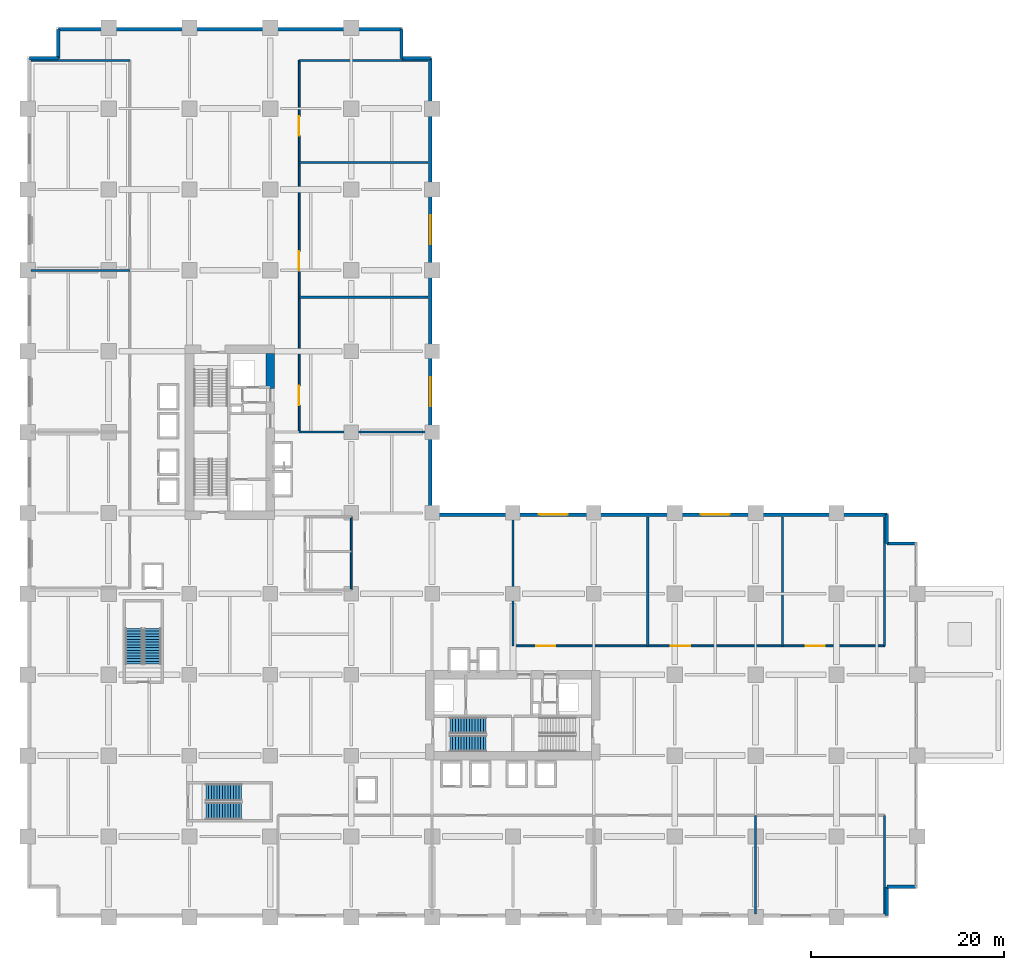
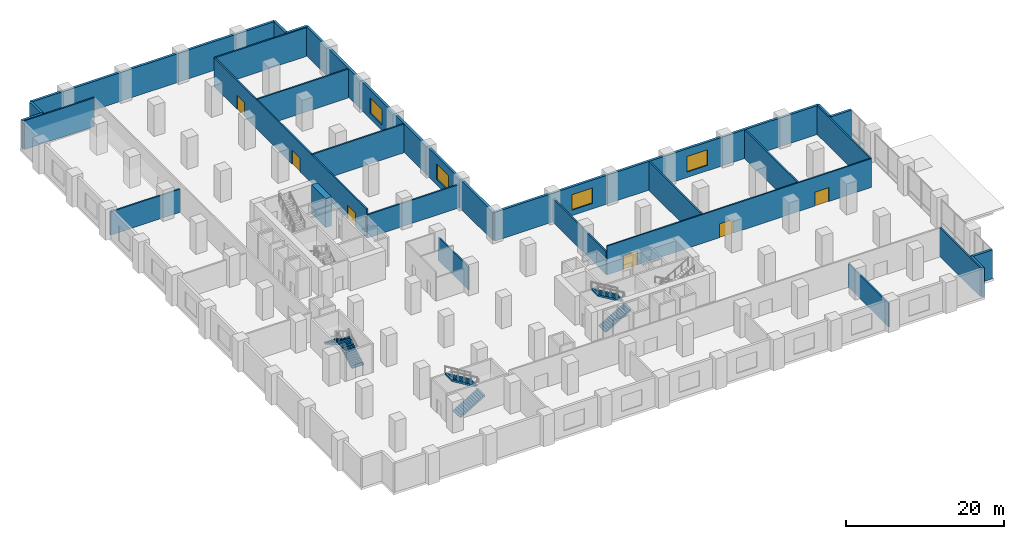
# One storey, part 14 of 22: 27 walls, 6 doors, 6 stair flights, 4 windows, 10 openings, 3 elements without a shape of their own.
"""IFC4 building model written with IfcOpenShell, lengths in metres."""

import ifcopenshell
import ifcopenshell.guid

model = None  # the IFC model being written
_history = None  # IfcOwnerHistory: only IFC2X3 demands one
_inside = {}  # id of a spatial element -> (the spatial element, [elements in it])
_under = {}  # id of a project, library or spatial element -> (it, [spatial elements below it])
_declared = {}  # id of a project -> (the project, [libraries it declares])
_typed = {}  # id of a type object -> (the type object, [elements of that type])
_made_of = {}  # id of a material, layer set ... -> (it, [elements and type objects made of it])


def new_model(schema):
    """Start an empty IFC model of exactly this schema.

    Asked for "IFC4X3", IfcOpenShell would pick the latest addendum, in which some entities
    have other attributes; the version numbers below select the first issue.
    IFC2X3 requires an IfcOwnerHistory on every rooted entity: one is made here for all.
    """
    global model, _history
    if schema == "IFC4X3":
        model = ifcopenshell.file(schema_version=(4, 3, 0, 0))
    else:
        model = ifcopenshell.file(schema=schema)
    _inside.clear()
    _under.clear()
    _declared.clear()
    _typed.clear()
    _made_of.clear()
    _history = None
    if model.schema == "IFC2X3":
        org = make("IfcOrganization", Name="unknown")
        user = make(
            "IfcPersonAndOrganization",
            ThePerson=make("IfcPerson", FamilyName="unknown"),
            TheOrganization=org,
        )
        app = make(
            "IfcApplication",
            ApplicationDeveloper=org,
            Version="unknown",
            ApplicationFullName="unknown",
            ApplicationIdentifier="unknown",
        )
        _history = make(
            "IfcOwnerHistory",
            OwningUser=user,
            OwningApplication=app,
            ChangeAction="ADDED",
            CreationDate=0,
        )
    return model


def make(cls, **values):
    """One entity of the class cls with the attributes given. An attribute that is None is left unset."""
    return model.create_entity(
        cls, **{name: value for name, value in values.items() if value is not None}
    )


def rooted(cls, **values):
    """An entity with a GlobalId (a new one), such as an element, a storey or a relation."""
    return make(cls, GlobalId=ifcopenshell.guid.new(), OwnerHistory=_history, **values)


def si_unit(unit_type, name, prefix=None):
    """IfcSIUnit, for example si_unit("LENGTHUNIT", "METRE", prefix="MILLI")."""
    return make("IfcSIUnit", UnitType=unit_type, Prefix=prefix, Name=name)


def assignment(units):
    """IfcUnitAssignment: the units of a project."""
    return None if units is None else make("IfcUnitAssignment", Units=units)


def point(xyz):
    """IfcCartesianPoint."""
    return None if xyz is None else make("IfcCartesianPoint", Coordinates=xyz)


def direction(xyz):
    """IfcDirection."""
    return None if xyz is None else make("IfcDirection", DirectionRatios=xyz)


def frame(location, z_axis=None, x_axis=None):
    """IfcAxis2Placement3D, a coordinate frame: its origin and axes. An axis left out is left unset."""
    return make(
        "IfcAxis2Placement3D",
        Location=point(location),
        Axis=direction(z_axis),
        RefDirection=direction(x_axis),
    )


def frame_2d(location, x_axis=None):
    """IfcAxis2Placement2D, a coordinate frame in the plane: its origin and x axis."""
    return make(
        "IfcAxis2Placement2D", Location=point(location), RefDirection=direction(x_axis)
    )


def origin():
    """The frame at (0, 0, 0) with its axes left unset."""
    return frame((0.0, 0.0, 0.0))


def place(relative_to, where):
    """IfcLocalPlacement: puts the frame where relative to a parent placement (None: the world)."""
    return make(
        "IfcLocalPlacement", PlacementRelTo=relative_to, RelativePlacement=where
    )


def context(
    kind, dimensions, precision=None, world=None, true_north=None, identifier=None
):
    """IfcGeometricRepresentationContext, for example the 3D "Model" context."""
    return make(
        "IfcGeometricRepresentationContext",
        ContextIdentifier=identifier,
        ContextType=kind,
        CoordinateSpaceDimension=dimensions,
        Precision=precision,
        WorldCoordinateSystem=world,
        TrueNorth=true_north,
    )


def subcontext(parent, identifier, kind, view, scale=None):
    """IfcGeometricRepresentationSubContext, for example "Body" below "Model"."""
    return make(
        "IfcGeometricRepresentationSubContext",
        ContextIdentifier=identifier,
        ContextType=kind,
        ParentContext=parent,
        TargetScale=scale,
        TargetView=view,
    )


def project(units=None, contexts=None):
    """IfcProject with its units and contexts."""
    return rooted(
        "IfcProject",
        Name="project",
        RepresentationContexts=contexts,
        UnitsInContext=assignment(units),
    )


def spatial(cls, under=None, at=None, **own):
    """A site, building, storey or space (cls), placed at a placement, below another one or the project."""
    s = rooted(cls, ObjectPlacement=at, **own)
    if under is not None:
        _under.setdefault(under.id(), (under, []))[1].append(s)
    return s


def polyline(points):
    """IfcPolyline through the points."""
    return make("IfcPolyline", Points=[point(p) for p in points])


def profile(cls, at=None, kind="AREA", **sizes):
    """A parametric profile (cls). Its sizes go by their IFC names, for example OverallWidth=200.0."""
    return make(cls, ProfileType=kind, Position=at, **sizes)


def rectangle(**sizes):
    """IfcRectangleProfileDef."""
    return profile("IfcRectangleProfileDef", **sizes)


def outline(outer, holes=None, kind="AREA"):
    """IfcArbitraryClosedProfileDef: a profile drawn as a closed curve; with holes, ...WithVoids."""
    if holes is None:
        return make("IfcArbitraryClosedProfileDef", ProfileType=kind, OuterCurve=outer)
    return make(
        "IfcArbitraryProfileDefWithVoids",
        ProfileType=kind,
        OuterCurve=outer,
        InnerCurves=holes,
    )


def extrude(swept, where, along, depth):
    """IfcExtrudedAreaSolid: the profile swept, set in the frame where, extruded along a direction by depth."""
    return make(
        "IfcExtrudedAreaSolid",
        SweptArea=swept,
        Position=where,
        ExtrudedDirection=direction(along),
        Depth=depth,
    )


def shape(context_of_items, identifier, shape_type, items):
    """IfcShapeRepresentation: the items that make up one representation, for example the "Body"."""
    return make(
        "IfcShapeRepresentation",
        ContextOfItems=context_of_items,
        RepresentationIdentifier=identifier,
        RepresentationType=shape_type,
        Items=items,
    )


def material(Name=None, Category=None):
    """IfcMaterial."""
    return make("IfcMaterial", Name=Name, Category=Category)


def layer(
    of_material, thickness, ventilated=None, Name=None, Category=None, Priority=None
):
    """IfcMaterialLayer: one layer of a wall or slab, of a material (None: an air gap)."""
    return make(
        "IfcMaterialLayer",
        Material=of_material,
        LayerThickness=thickness,
        IsVentilated=ventilated,
        Name=Name,
        Category=Category,
        Priority=Priority,
    )


def layer_set(layers, Name=None):
    """IfcMaterialLayerSet."""
    return make("IfcMaterialLayerSet", MaterialLayers=layers, LayerSetName=Name)


def made_of(thing, what):
    """Note that an element or type object is made of a material, layer set ...; save() writes the relation."""
    if what is not None:
        _made_of.setdefault(what.id(), (what, []))[1].append(thing)
    return thing


def type_object(cls, material=None, **own):
    """A type object (cls), such as IfcWallType, which elements share."""
    return made_of(rooted(cls, **own), material)


def element(
    cls,
    number,
    at=None,
    inside=None,
    cuts=None,
    type_object=None,
    material=None,
    context=None,
    identifier="Body",
    shape_type=None,
    held_by="IfcProductDefinitionShape",
    body=None,
    shapes=None,
    **own,
):
    """One element of the class cls, such as IfcWall. Its Tag is "e" and its number.

    at: its placement. inside: the storey or other place that contains it. cuts: it is an
    opening in that element (IfcRelVoidsElement). A single representation is given by context,
    identifier, shape_type and body (its items); several are given by shapes. held_by: the class
    of the entity that holds the representations. save() writes the other relations.
    """
    e = rooted(cls, Tag="e%d" % number, ObjectPlacement=at, **own)
    if body is not None:
        shapes = [shape(context, identifier, shape_type, body)]
    if shapes is not None:
        e.Representation = make(held_by, Representations=shapes)
    if inside is not None:
        _inside.setdefault(inside.id(), (inside, []))[1].append(e)
    if cuts is not None:
        rooted(
            "IfcRelVoidsElement", RelatingBuildingElement=cuts, RelatedOpeningElement=e
        )
    if type_object is not None:
        _typed.setdefault(type_object.id(), (type_object, []))[1].append(e)
    return made_of(e, material)


def fill(opening, filler):
    """IfcRelFillsElement: the door or window that sits in an opening."""
    return rooted(
        "IfcRelFillsElement",
        RelatingOpeningElement=opening,
        RelatedBuildingElement=filler,
    )


def aggregate(whole, parts):
    """IfcRelAggregates: a whole, such as a stair, and the parts it consists of."""
    return rooted("IfcRelAggregates", RelatingObject=whole, RelatedObjects=parts)


def save(model, path):
    """Write the relations noted so far, then the file.

    IfcRelAggregates (storeys below a building ...), IfcRelContainedInSpatialStructure (elements
    in a storey), IfcRelDefinesByType, IfcRelAssociatesMaterial and IfcRelDeclares: one each for
    every whole, place, type object, material and project.
    """
    for whole, parts in _under.values():
        aggregate(whole, parts)
    for where, things in _inside.values():
        rooted(
            "IfcRelContainedInSpatialStructure",
            RelatedElements=things,
            RelatingStructure=where,
        )
    for kind, things in _typed.values():
        rooted("IfcRelDefinesByType", RelatedObjects=things, RelatingType=kind)
    for what, things in _made_of.values():
        rooted("IfcRelAssociatesMaterial", RelatedObjects=things, RelatingMaterial=what)
    for by, libraries in _declared.values():
        rooted("IfcRelDeclares", RelatingContext=by, RelatedDefinitions=libraries)
    model.write(path)


model = new_model("IFC4")

# Units and contexts
model_context = context("Model", 3, precision=1e-05, world=origin(), true_north=direction((0.0, 1.0)))
body_context = subcontext(model_context, "Body", "Model", "MODEL_VIEW")
ifc_project = project(units=[si_unit("LENGTHUNIT", "METRE"), si_unit("AREAUNIT", "SQUARE_METRE"), si_unit("VOLUMEUNIT", "CUBIC_METRE"), si_unit("PLANEANGLEUNIT", "RADIAN"), si_unit("MASSUNIT", "GRAM", prefix="KILO")], contexts=[model_context])

# Site, building, storey
site_placement = place(None, origin())
site = spatial("IfcSite", under=ifc_project, at=site_placement, CompositionType="ELEMENT")
building_placement = place(site_placement, origin())
building = spatial("IfcBuilding", under=site, at=building_placement, Name="Koriwani Terraces Tower", CompositionType="ELEMENT")
storey_placement = place(building_placement, frame((0.0, 0.0, 6.0)))
storey = spatial("IfcBuildingStorey", under=building, at=storey_placement, Name="L01", CompositionType="ELEMENT", Elevation=6.0)

# Wall
ifc_material_1 = material(Name="Concrete C60/75", Category="concrete")
ifc_layer_1 = layer(ifc_material_1, 0.89990234375, Name="Concrete C60/75")
ifc_layer_set_1 = layer_set([ifc_layer_1], Name="Concrete C60/75")
wall_type_1 = type_object("IfcWallType", Name="WALL_CORE_RC_900", PredefinedType="SHEAR", material=ifc_layer_set_1)
wall_1_placement = place(storey_placement, frame((25.199951171875, 54.949951171875, 0.0), z_axis=(0.0, 0.0, 1.0), x_axis=(0.0, 1.0, 0.0)))
element("IfcWall", 1, at=wall_1_placement, inside=storey, type_object=wall_type_1, Name="L01 West Split Core Shear Wall E3", PredefinedType="SHEAR", context=body_context, shape_type="SweptSolid", body=[
    extrude(rectangle(XDim=3.60009765625, YDim=0.89990234375, at=frame_2d((1.800048828125, 0.0))), origin(), (0.0, 0.0, 1.0), 4.449951171875),
])

# Wall, openings, doors
ifc_material_2 = material(Name="Autoclaved Cellular Concrete Blockwork", Category="masonry")
ifc_layer_2 = layer(ifc_material_2, 0.199951171875, Name="Autoclaved Cellular Concrete Blockwork")
ifc_layer_set_2 = layer_set([ifc_layer_2], Name="Autoclaved Cellular Concrete Blockwork")
wall_type_2 = type_object("IfcWallType", Name="WALL_CORRIDOR_200", PredefinedType="PARTITIONING", material=ifc_layer_set_2)
wall_2_placement = place(storey_placement, frame((28.199951171875, 50.39990234375, 0.0), z_axis=(0.0, 0.0, 1.0), x_axis=(0.0, 1.0, 0.0)))
wall_2 = element("IfcWall", 2, at=wall_2_placement, inside=storey, type_object=wall_type_2, Name="L01 Interior Wall WPOD-INW-L01-0", PredefinedType="PARTITIONING", context=body_context, shape_type="SweptSolid", body=[
    extrude(rectangle(XDim=38.60009765625, YDim=0.199951171875, at=frame_2d((19.300048828125, 0.0))), origin(), (0.0, 0.0, 1.0), 4.449951171875),
])
opening_1_placement = place(wall_2_placement, frame((2.800048828125, 0.0, 0.0)))
opening_1 = element("IfcOpeningElement", 3, at=opening_1_placement, cuts=wall_2, Name="Opening D-02", PredefinedType="OPENING", context=body_context, shape_type="SweptSolid", body=[
    extrude(rectangle(XDim=2.0, YDim=2.14990234375, at=frame_2d((1.0, 1.074951171875))), frame((0.0, 0.10986328125, 0.0), z_axis=(0.0, -1.0, 0.0), x_axis=(1.0, 0.0, 0.0)), (0.0, 0.0, 1.0), 0.219970703125),
])
opening_2_placement = place(wall_2_placement, frame((16.800048828125, 0.0, 0.0)))
opening_2 = element("IfcOpeningElement", 4, at=opening_2_placement, cuts=wall_2, Name="Opening D-02", PredefinedType="OPENING", context=body_context, shape_type="SweptSolid", body=[
    extrude(rectangle(XDim=2.0, YDim=2.14990234375, at=frame_2d((1.0, 1.074951171875))), frame((0.0, 0.10986328125, 0.0), z_axis=(0.0, -1.0, 0.0), x_axis=(1.0, 0.0, 0.0)), (0.0, 0.0, 1.0), 0.219970703125),
])
opening_3_placement = place(wall_2_placement, frame((30.800048828125, 0.0, 0.0)))
opening_3 = element("IfcOpeningElement", 5, at=opening_3_placement, cuts=wall_2, Name="Opening D-02", PredefinedType="OPENING", context=body_context, shape_type="SweptSolid", body=[
    extrude(rectangle(XDim=2.0, YDim=2.14990234375, at=frame_2d((1.0, 1.074951171875))), frame((0.0, 0.10986328125, 0.0), z_axis=(0.0, -1.0, 0.0), x_axis=(1.0, 0.0, 0.0)), (0.0, 0.0, 1.0), 0.219970703125),
])
ifc_material_3 = material(Name="Anodised Bronze Aluminium", Category="aluminium")
door_type = type_object("IfcDoorType", Name="DOOR_ENTRANCE_DOUBLE_2000X2400", OperationType="NOTDEFINED", PredefinedType="DOOR", material=ifc_material_3)
door_1_placement = place(opening_1_placement, origin())
door_1 = element("IfcDoor", 6, at=door_1_placement, inside=storey, type_object=door_type, Name="L01 North Galleria Salon 1 Door", OperationType="SINGLE_SWING_RIGHT", OverallHeight=2.14990234375, OverallWidth=2.0, PredefinedType="DOOR", context=body_context, shape_type="SweptSolid", body=[
    extrude(rectangle(XDim=2.0, YDim=2.14990234375, at=frame_2d((1.0, 1.074951171875))), frame((0.0, 0.02490234375, 0.0), z_axis=(0.0, -1.0, 0.0), x_axis=(1.0, 0.0, 0.0)), (0.0, 0.0, 1.0), 0.050048828125),
])
fill(opening_1, door_1)
door_2_placement = place(opening_2_placement, origin())
door_2 = element("IfcDoor", 7, at=door_2_placement, inside=storey, type_object=door_type, Name="L01 North Galleria Salon 2 Door", OperationType="SINGLE_SWING_LEFT", OverallHeight=2.14990234375, OverallWidth=2.0, PredefinedType="DOOR", context=body_context, shape_type="SweptSolid", body=[
    extrude(rectangle(XDim=2.0, YDim=2.14990234375, at=frame_2d((1.0, 1.074951171875))), frame((0.0, 0.02490234375, 0.0), z_axis=(0.0, -1.0, 0.0), x_axis=(1.0, 0.0, 0.0)), (0.0, 0.0, 1.0), 0.050048828125),
])
fill(opening_2, door_2)
door_3_placement = place(opening_3_placement, origin())
door_3 = element("IfcDoor", 8, at=door_3_placement, inside=storey, type_object=door_type, Name="L01 North Galleria Salon 3 Door", OperationType="SINGLE_SWING_RIGHT", OverallHeight=2.14990234375, OverallWidth=2.0, PredefinedType="DOOR", context=body_context, shape_type="SweptSolid", body=[
    extrude(rectangle(XDim=2.0, YDim=2.14990234375, at=frame_2d((1.0, 1.074951171875))), frame((0.0, 0.02490234375, 0.0), z_axis=(0.0, -1.0, 0.0), x_axis=(1.0, 0.0, 0.0)), (0.0, 0.0, 1.0), 0.050048828125),
])
fill(opening_3, door_3)

wall_3_placement = place(storey_placement, frame((50.39990234375, 28.199951171875, 0.0), z_axis=(0.0, 0.0, 1.0), x_axis=(1.0, 0.0, 0.0)))
wall_3 = element("IfcWall", 9, at=wall_3_placement, inside=storey, type_object=wall_type_2, Name="L01 Interior Wall WPOD-INE-L01-0", PredefinedType="PARTITIONING", context=body_context, shape_type="SweptSolid", body=[
    extrude(rectangle(XDim=38.60009765625, YDim=0.199951171875, at=frame_2d((19.300048828125, 0.0))), origin(), (0.0, 0.0, 1.0), 4.449951171875),
])
opening_4_placement = place(wall_3_placement, frame((2.39990234375, 0.0, 0.0)))
opening_4 = element("IfcOpeningElement", 10, at=opening_4_placement, cuts=wall_3, Name="Opening D-02", PredefinedType="OPENING", context=body_context, shape_type="SweptSolid", body=[
    extrude(rectangle(XDim=2.0, YDim=2.14990234375, at=frame_2d((1.0, 1.074951171875))), frame((0.0, 0.10986328125, 0.0), z_axis=(0.0, -1.0, 0.0), x_axis=(1.0, 0.0, 0.0)), (0.0, 0.0, 1.0), 0.219970703125),
])
opening_5_placement = place(wall_3_placement, frame((16.39990234375, 0.0, 0.0)))
opening_5 = element("IfcOpeningElement", 11, at=opening_5_placement, cuts=wall_3, Name="Opening D-02", PredefinedType="OPENING", context=body_context, shape_type="SweptSolid", body=[
    extrude(rectangle(XDim=2.0, YDim=2.14990234375, at=frame_2d((1.0, 1.074951171875))), frame((0.0, 0.10986328125, 0.0), z_axis=(0.0, -1.0, 0.0), x_axis=(1.0, 0.0, 0.0)), (0.0, 0.0, 1.0), 0.219970703125),
])
opening_6_placement = place(wall_3_placement, frame((30.39990234375, 0.0, 0.0)))
opening_6 = element("IfcOpeningElement", 12, at=opening_6_placement, cuts=wall_3, Name="Opening D-02", PredefinedType="OPENING", context=body_context, shape_type="SweptSolid", body=[
    extrude(rectangle(XDim=2.0, YDim=2.14990234375, at=frame_2d((1.0, 1.074951171875))), frame((0.0, 0.10986328125, 0.0), z_axis=(0.0, -1.0, 0.0), x_axis=(1.0, 0.0, 0.0)), (0.0, 0.0, 1.0), 0.219970703125),
])
door_4_placement = place(opening_4_placement, origin())
door_4 = element("IfcDoor", 13, at=door_4_placement, inside=storey, type_object=door_type, Name="L01 East Galleria Pavilion 1 Door", OperationType="SINGLE_SWING_LEFT", OverallHeight=2.14990234375, OverallWidth=2.0, PredefinedType="DOOR", context=body_context, shape_type="SweptSolid", body=[
    extrude(rectangle(XDim=2.0, YDim=2.14990234375, at=frame_2d((1.0, 1.074951171875))), frame((0.0, 0.02490234375, 0.0), z_axis=(0.0, -1.0, 0.0), x_axis=(1.0, 0.0, 0.0)), (0.0, 0.0, 1.0), 0.050048828125),
])
fill(opening_4, door_4)
door_5_placement = place(opening_5_placement, origin())
door_5 = element("IfcDoor", 14, at=door_5_placement, inside=storey, type_object=door_type, Name="L01 East Galleria Pavilion 2 Door", OperationType="SINGLE_SWING_RIGHT", OverallHeight=2.14990234375, OverallWidth=2.0, PredefinedType="DOOR", context=body_context, shape_type="SweptSolid", body=[
    extrude(rectangle(XDim=2.0, YDim=2.14990234375, at=frame_2d((1.0, 1.074951171875))), frame((0.0, 0.02490234375, 0.0), z_axis=(0.0, -1.0, 0.0), x_axis=(1.0, 0.0, 0.0)), (0.0, 0.0, 1.0), 0.050048828125),
])
fill(opening_5, door_5)
door_6_placement = place(opening_6_placement, origin())
door_6 = element("IfcDoor", 15, at=door_6_placement, inside=storey, type_object=door_type, Name="L01 East Galleria Pavilion 3 Door", OperationType="SINGLE_SWING_LEFT", OverallHeight=2.14990234375, OverallWidth=2.0, PredefinedType="DOOR", context=body_context, shape_type="SweptSolid", body=[
    extrude(rectangle(XDim=2.0, YDim=2.14990234375, at=frame_2d((1.0, 1.074951171875))), frame((0.0, 0.02490234375, 0.0), z_axis=(0.0, -1.0, 0.0), x_axis=(1.0, 0.0, 0.0)), (0.0, 0.0, 1.0), 0.050048828125),
])
fill(opening_6, door_6)

# Walls
ifc_layer_3 = layer(ifc_material_2, 0.219970703125, Name="Autoclaved Cellular Concrete Blockwork")
ifc_layer_set_3 = layer_set([ifc_layer_3], Name="Autoclaved Cellular Concrete Blockwork")
wall_type_3 = type_object("IfcWallType", Name="WALL_DEMISING_220", PredefinedType="PARTITIONING", material=ifc_layer_set_3)
wall_4_placement = place(storey_placement, frame((75.60009765625, 0.35009765625, 0.0), z_axis=(0.0, 0.0, 1.0), x_axis=(0.0, 1.0, 0.0)))
element("IfcWall", 16, at=wall_4_placement, inside=storey, type_object=wall_type_3, Name="L01 Interior Wall WPOD-SD-L01-3", PredefinedType="PARTITIONING", context=body_context, shape_type="SweptSolid", body=[
    extrude(rectangle(XDim=10.25, YDim=0.219970703125, at=frame_2d((5.125, 0.0))), origin(), (0.0, 0.0, 1.0), 3.60009765625),
])
wall_5_placement = place(storey_placement, frame((89.0, 0.35009765625, 0.0), z_axis=(0.0, 0.0, 1.0), x_axis=(0.0, 1.0, 0.0)))
element("IfcWall", 17, at=wall_5_placement, inside=storey, type_object=wall_type_3, Name="L01 Interior Wall WPOD-SDE-L01", PredefinedType="PARTITIONING", context=body_context, shape_type="SweptSolid", body=[
    extrude(rectangle(XDim=10.25, YDim=0.219970703125, at=frame_2d((5.125, 0.0))), origin(), (0.0, 0.0, 1.0), 4.449951171875),
])
wall_6_placement = place(storey_placement, frame((0.35009765625, 67.199951171875, 0.0), z_axis=(0.0, 0.0, 1.0), x_axis=(1.0, 0.0, 0.0)))
element("IfcWall", 18, at=wall_6_placement, inside=storey, type_object=wall_type_3, Name="L01 Interior Wall WPOD-WD-L01-2", PredefinedType="PARTITIONING", context=body_context, shape_type="SweptSolid", body=[
    extrude(rectangle(XDim=10.25, YDim=0.219970703125, at=frame_2d((5.125, 0.0))), origin(), (0.0, 0.0, 1.0), 3.60009765625),
])
wall_7_placement = place(storey_placement, frame((0.35009765625, 89.0, 0.0), z_axis=(0.0, 0.0, 1.0), x_axis=(1.0, 0.0, 0.0)))
element("IfcWall", 19, at=wall_7_placement, inside=storey, type_object=wall_type_3, Name="L01 Interior Wall WPOD-WDE-L01", PredefinedType="PARTITIONING", context=body_context, shape_type="SweptSolid", body=[
    extrude(rectangle(XDim=10.25, YDim=0.219970703125, at=frame_2d((5.125, 0.0))), origin(), (0.0, 0.0, 1.0), 4.449951171875),
])
wall_8_placement = place(storey_placement, frame((28.199951171875, 50.39990234375, 0.0), z_axis=(0.0, 0.0, 1.0), x_axis=(1.0, 0.0, 0.0)))
element("IfcWall", 20, at=wall_8_placement, inside=storey, type_object=wall_type_3, Name="L01 Interior Wall WPOD-INWD-L01-0", PredefinedType="PARTITIONING", context=body_context, shape_type="SweptSolid", body=[
    extrude(rectangle(XDim=13.400146484375, YDim=0.219970703125, at=frame_2d((6.7001953125, 0.0))), origin(), (0.0, 0.0, 1.0), 3.60009765625),
])
for number, where, z_axis, x_axis, name in (
    (21, (28.199951171875, 64.39990234375, 0.0), (0.0, 0.0, 1.0), (1.0, 0.0, 0.0), "L01 Interior Wall WPOD-INWD-L01-1"),
    (22, (28.199951171875, 78.39990234375, 0.0), (0.0, 0.0, 1.0), (1.0, 0.0, 0.0), "L01 Interior Wall WPOD-INWD-L01-2"),
    (23, (28.199951171875, 89.0, 0.0), (0.0, 0.0, 1.0), (1.0, 0.0, 0.0), "L01 Interior Wall WPOD-INWDE-L01"),
):
    element("IfcWall", number, at=place(storey_placement, frame(where, z_axis=z_axis, x_axis=x_axis)), inside=storey, type_object=wall_type_3, Name=name, PredefinedType="PARTITIONING", context=body_context, shape_type="SweptSolid", body=[
        extrude(rectangle(XDim=13.400146484375, YDim=0.219970703125, at=frame_2d((6.7001953125, 0.0))), origin(), (0.0, 0.0, 1.0), 4.449951171875),
    ])
wall_9_placement = place(storey_placement, frame((50.39990234375, 28.199951171875, 0.0), z_axis=(0.0, 0.0, 1.0), x_axis=(0.0, 1.0, 0.0)))
element("IfcWall", 24, at=wall_9_placement, inside=storey, type_object=wall_type_3, Name="L01 Interior Wall WPOD-INED-L01-0", PredefinedType="PARTITIONING", context=body_context, shape_type="SweptSolid", body=[
    extrude(rectangle(XDim=13.400146484375, YDim=0.219970703125, at=frame_2d((6.7001953125, 0.0))), origin(), (0.0, 0.0, 1.0), 3.60009765625),
])
for number, where, z_axis, x_axis, name in (
    (25, (64.39990234375, 28.199951171875, 0.0), (0.0, 0.0, 1.0), (0.0, 1.0, 0.0), "L01 Interior Wall WPOD-INED-L01-1"),
    (26, (78.39990234375, 28.199951171875, 0.0), (0.0, 0.0, 1.0), (0.0, 1.0, 0.0), "L01 Interior Wall WPOD-INED-L01-2"),
    (27, (89.0, 28.199951171875, 0.0), (0.0, 0.0, 1.0), (0.0, 1.0, 0.0), "L01 Interior Wall WPOD-INEDE-L01"),
):
    element("IfcWall", number, at=place(storey_placement, frame(where, z_axis=z_axis, x_axis=x_axis)), inside=storey, type_object=wall_type_3, Name=name, PredefinedType="PARTITIONING", context=body_context, shape_type="SweptSolid", body=[
        extrude(rectangle(XDim=13.400146484375, YDim=0.219970703125, at=frame_2d((6.7001953125, 0.0))), origin(), (0.0, 0.0, 1.0), 4.449951171875),
    ])
ifc_material_4 = material(Name="Concrete C50/60", Category="concrete")
ifc_layer_4 = layer(ifc_material_4, 0.35009765625, Name="Concrete C50/60")
ifc_layer_set_4 = layer_set([ifc_layer_4], Name="Concrete C50/60")
wall_type_4 = type_object("IfcWallType", Name="WALL_EXT_BRUTALIST_350", PredefinedType="STANDARD", material=ifc_layer_set_4)
for number, where, z_axis, x_axis, name in (
    (28, (0.175048828125, 89.22509765625, 0.0), (0.0, 0.0, 1.0), (1.0, 0.0, 0.0), "L01 Fair-Faced Brutalist Exterior Wall (N3)"),
    (29, (3.175048828125, 89.22509765625, 0.0), (0.0, 0.0, 1.0), (0.0, 1.0, 0.0), "L01 Fair-Faced Brutalist Exterior Wall (N4)"),
):
    element("IfcWall", number, at=place(storey_placement, frame(where, z_axis=z_axis, x_axis=x_axis)), inside=storey, type_object=wall_type_4, Name=name, PredefinedType="STANDARD", context=body_context, shape_type="SweptSolid", body=[
        extrude(rectangle(XDim=3.0, YDim=0.35009765625, at=frame_2d((1.5, 0.0))), origin(), (0.0, 0.0, 1.0), 4.449951171875),
    ])
wall_10_placement = place(storey_placement, frame((3.175048828125, 92.22509765625, 0.0), z_axis=(0.0, 0.0, 1.0), x_axis=(1.0, 0.0, 0.0)))
element("IfcWall", 30, at=wall_10_placement, inside=storey, type_object=wall_type_4, Name="L01 Fair-Faced Brutalist Exterior Wall (N_TIP)", PredefinedType="STANDARD", context=body_context, shape_type="SweptSolid", body=[
    extrude(rectangle(XDim=35.64990234375, YDim=0.35009765625, at=frame_2d((17.824951171875, 0.0))), origin(), (0.0, 0.0, 1.0), 4.449951171875),
])
for number, where, z_axis, x_axis, name in (
    (31, (38.824951171875, 92.22509765625, 0.0), (0.0, 0.0, 1.0), (0.0, -1.0, 0.0), "L01 Fair-Faced Brutalist Exterior Wall (N6)"),
    (32, (38.824951171875, 89.22509765625, 0.0), (0.0, 0.0, 1.0), (1.0, 0.0, 0.0), "L01 Fair-Faced Brutalist Exterior Wall (N7)"),
):
    element("IfcWall", number, at=place(storey_placement, frame(where, z_axis=z_axis, x_axis=x_axis)), inside=storey, type_object=wall_type_4, Name=name, PredefinedType="STANDARD", context=body_context, shape_type="SweptSolid", body=[
        extrude(rectangle(XDim=3.0, YDim=0.35009765625, at=frame_2d((1.5, 0.0))), origin(), (0.0, 0.0, 1.0), 4.449951171875),
    ])

# Wall, openings, windows
wall_11_placement = place(storey_placement, frame((41.824951171875, 89.22509765625, 0.0), z_axis=(0.0, 0.0, 1.0), x_axis=(0.0, -1.0, 0.0)))
wall_11 = element("IfcWall", 33, at=wall_11_placement, inside=storey, type_object=wall_type_4, Name="L01 Fair-Faced Brutalist Exterior Wall (NW_IN)", PredefinedType="STANDARD", context=body_context, shape_type="SweptSolid", body=[
    extrude(rectangle(XDim=47.400146484375, YDim=0.35009765625, at=frame_2d((23.7001953125, 0.0))), origin(), (0.0, 0.0, 1.0), 4.449951171875),
])
opening_7_placement = place(wall_11_placement, frame((33.125, 0.0, 0.85009765625)))
opening_7 = element("IfcOpeningElement", 34, at=opening_7_placement, cuts=wall_11, Name="Opening W-06", PredefinedType="OPENING", context=body_context, shape_type="SweptSolid", body=[
    extrude(rectangle(XDim=3.0, YDim=2.39990234375, at=frame_2d((1.5, 1.199951171875))), frame((0.0, 0.18505859375, 0.0), z_axis=(0.0, -1.0, 0.0), x_axis=(1.0, 0.0, 0.0)), (0.0, 0.0, 1.0), 0.3701171875),
])
opening_8_placement = place(wall_11_placement, frame((16.324951171875, 0.0, 0.85009765625)))
opening_8 = element("IfcOpeningElement", 35, at=opening_8_placement, cuts=wall_11, Name="Opening W-06", PredefinedType="OPENING", context=body_context, shape_type="SweptSolid", body=[
    extrude(rectangle(XDim=3.0, YDim=2.39990234375, at=frame_2d((1.5, 1.199951171875))), frame((0.0, 0.18505859375, 0.0), z_axis=(0.0, -1.0, 0.0), x_axis=(1.0, 0.0, 0.0)), (0.0, 0.0, 1.0), 0.3701171875),
])
ifc_material_5 = material(Name="Tempered Laminated Low-E Glass", Category="glass")
window_type = type_object("IfcWindowType", Name="WIN_PODIUM_PUNCHED_3000X2400", PartitioningType="TRIPLE_PANEL_VERTICAL", PredefinedType="WINDOW", material=ifc_material_5)
window_1_placement = place(opening_7_placement, origin())
window_1 = element("IfcWindow", 36, at=window_1_placement, inside=storey, type_object=window_type, Name="L01 Exterior Window (NW_IN-5)", OverallHeight=2.39990234375, OverallWidth=3.0, PartitioningType="SINGLE_PANEL", PredefinedType="WINDOW", context=body_context, shape_type="SweptSolid", body=[
    extrude(rectangle(XDim=3.0, YDim=2.39990234375, at=frame_2d((1.5, 1.199951171875))), frame((0.0, 0.030029296875, 0.0), z_axis=(0.0, -1.0, 0.0), x_axis=(1.0, 0.0, 0.0)), (0.0, 0.0, 1.0), 0.06005859375),
])
fill(opening_7, window_1)
window_2_placement = place(opening_8_placement, origin())
window_2 = element("IfcWindow", 37, at=window_2_placement, inside=storey, type_object=window_type, Name="L01 Exterior Window (NW_IN-11)", OverallHeight=2.39990234375, OverallWidth=3.0, PartitioningType="SINGLE_PANEL", PredefinedType="WINDOW", context=body_context, shape_type="SweptSolid", body=[
    extrude(rectangle(XDim=3.0, YDim=2.39990234375, at=frame_2d((1.5, 1.199951171875))), frame((0.0, 0.030029296875, 0.0), z_axis=(0.0, -1.0, 0.0), x_axis=(1.0, 0.0, 0.0)), (0.0, 0.0, 1.0), 0.06005859375),
])
fill(opening_8, window_2)

wall_12_placement = place(storey_placement, frame((41.824951171875, 41.824951171875, 0.0), z_axis=(0.0, 0.0, 1.0), x_axis=(1.0, 0.0, 0.0)))
wall_12 = element("IfcWall", 38, at=wall_12_placement, inside=storey, type_object=wall_type_4, Name="L01 Fair-Faced Brutalist Exterior Wall (NE)", PredefinedType="STANDARD", context=body_context, shape_type="SweptSolid", body=[
    extrude(rectangle(XDim=47.400146484375, YDim=0.35009765625, at=frame_2d((23.7001953125, 0.0))), origin(), (0.0, 0.0, 1.0), 4.449951171875),
])
opening_9_placement = place(wall_12_placement, frame((11.27490234375, 0.0, 0.85009765625)))
opening_9 = element("IfcOpeningElement", 39, at=opening_9_placement, cuts=wall_12, Name="Opening W-06", PredefinedType="OPENING", context=body_context, shape_type="SweptSolid", body=[
    extrude(rectangle(XDim=3.0, YDim=2.39990234375, at=frame_2d((1.5, 1.199951171875))), frame((0.0, 0.18505859375, 0.0), z_axis=(0.0, -1.0, 0.0), x_axis=(1.0, 0.0, 0.0)), (0.0, 0.0, 1.0), 0.3701171875),
])
opening_10_placement = place(wall_12_placement, frame((28.074951171875, 0.0, 0.85009765625)))
opening_10 = element("IfcOpeningElement", 40, at=opening_10_placement, cuts=wall_12, Name="Opening W-06", PredefinedType="OPENING", context=body_context, shape_type="SweptSolid", body=[
    extrude(rectangle(XDim=3.0, YDim=2.39990234375, at=frame_2d((1.5, 1.199951171875))), frame((0.0, 0.18505859375, 0.0), z_axis=(0.0, -1.0, 0.0), x_axis=(1.0, 0.0, 0.0)), (0.0, 0.0, 1.0), 0.3701171875),
])
window_3_placement = place(opening_9_placement, origin())
window_3 = element("IfcWindow", 41, at=window_3_placement, inside=storey, type_object=window_type, Name="L01 Exterior Window (NE-5)", OverallHeight=2.39990234375, OverallWidth=3.0, PartitioningType="SINGLE_PANEL", PredefinedType="WINDOW", context=body_context, shape_type="SweptSolid", body=[
    extrude(rectangle(XDim=3.0, YDim=2.39990234375, at=frame_2d((1.5, 1.199951171875))), frame((0.0, 0.030029296875, 0.0), z_axis=(0.0, -1.0, 0.0), x_axis=(1.0, 0.0, 0.0)), (0.0, 0.0, 1.0), 0.06005859375),
])
fill(opening_9, window_3)
window_4_placement = place(opening_10_placement, origin())
window_4 = element("IfcWindow", 42, at=window_4_placement, inside=storey, type_object=window_type, Name="L01 Exterior Window (NE-11)", OverallHeight=2.39990234375, OverallWidth=3.0, PartitioningType="SINGLE_PANEL", PredefinedType="WINDOW", context=body_context, shape_type="SweptSolid", body=[
    extrude(rectangle(XDim=3.0, YDim=2.39990234375, at=frame_2d((1.5, 1.199951171875))), frame((0.0, 0.030029296875, 0.0), z_axis=(0.0, -1.0, 0.0), x_axis=(1.0, 0.0, 0.0)), (0.0, 0.0, 1.0), 0.06005859375),
])
fill(opening_10, window_4)

# Walls
for number, where, z_axis, x_axis, name in (
    (43, (89.22509765625, 41.824951171875, 0.0), (0.0, 0.0, 1.0), (0.0, -1.0, 0.0), "L01 Fair-Faced Brutalist Exterior Wall (N10)"),
    (44, (89.22509765625, 38.824951171875, 0.0), (0.0, 0.0, 1.0), (1.0, 0.0, 0.0), "L01 Fair-Faced Brutalist Exterior Wall (N11)"),
    (45, (92.22509765625, 3.175048828125, 0.0), (0.0, 0.0, 1.0), (-1.0, 0.0, 0.0), "L01 Fair-Faced Brutalist Exterior Wall (N13)"),
    (46, (89.22509765625, 3.175048828125, 0.0), (0.0, 0.0, 1.0), (0.0, -1.0, 0.0), "L01 Fair-Faced Brutalist Exterior Wall (N14)"),
):
    element("IfcWall", number, at=place(storey_placement, frame(where, z_axis=z_axis, x_axis=x_axis)), inside=storey, type_object=wall_type_4, Name=name, PredefinedType="STANDARD", context=body_context, shape_type="SweptSolid", body=[
        extrude(rectangle(XDim=3.0, YDim=0.35009765625, at=frame_2d((1.5, 0.0))), origin(), (0.0, 0.0, 1.0), 4.449951171875),
    ])
ifc_material_6 = material(Name="Fire-Rated Acoustic Gypsum Partition", Category="masonry")
ifc_layer_5 = layer(ifc_material_6, 0.179931640625, Name="Fire-Rated Acoustic Gypsum Partition")
ifc_layer_set_5 = layer_set([ifc_layer_5], Name="Fire-Rated Acoustic Gypsum Partition")
wall_type_5 = type_object("IfcWallType", Name="WALL_PLUMBING_180", PredefinedType="PLUMBINGWALL", material=ifc_layer_set_5)
wall_13_placement = place(storey_placement, frame((33.60009765625, 34.0, 0.0), z_axis=(0.0, 0.0, 1.0), x_axis=(0.0, 1.0, 0.0)))
element("IfcWall", 47, at=wall_13_placement, inside=storey, type_object=wall_type_5, Name="L01 Interior Wall WPOD-WCE-L01", PredefinedType="PLUMBINGWALL", context=body_context, shape_type="SweptSolid", body=[
    extrude(rectangle(XDim=7.60009765625, YDim=0.179931640625, at=frame_2d((3.800048828125, 0.0))), origin(), (0.0, 0.0, 1.0), 3.60009765625),
])

# Stair, stair flights
ifc_material_7 = material(Name="Concrete C40/50", Category="concrete")
stair_type_1 = type_object("IfcStairType", Name="STAIR_PODIUM_DOGLEG_1750", PredefinedType="TWO_STRAIGHT_RUN_STAIR", material=ifc_material_7)
stair_1_placement = place(storey_placement, origin())
stair_1 = element("IfcStair", 48, at=stair_1_placement, inside=storey, type_object=stair_type_1, Name="L01 Podium West Exit Stair", PredefinedType="HALF_TURN_STAIR")
stair_flight_type_1 = type_object("IfcStairFlightType", Name="STAIR_FLIGHT_POD_1750", PredefinedType="STRAIGHT", material=ifc_material_7)
stair_flight_1_placement = place(storey_placement, frame((12.97509765625, 26.300048828125, 0.0), z_axis=(0.0, 0.0, 1.0), x_axis=(0.0, 1.0, 0.0)))
stair_flight_1 = element("IfcStairFlight", 49, at=stair_flight_1_placement, type_object=stair_flight_type_1, Name="ST-P1 flight 1", NumberOfRisers=14, NumberOfTreads=13, PredefinedType="STRAIGHT", RiserHeight=0.171428571, TreadLength=0.285, context=body_context, shape_type="SweptSolid", body=[
    extrude(outline(polyline([(0.0, 0.0), (0.0, 0.17138671875), (0.284912109375, 0.17138671875), (0.284912109375, 0.3427734375), (0.570068359375, 0.3427734375), (0.570068359375, 0.514404296875), (0.85498046875, 0.514404296875), (0.85498046875, 0.685791015625), (1.139892578125, 0.685791015625), (1.139892578125, 0.857177734375), (1.425048828125, 0.857177734375), (1.425048828125, 1.028564453125), (1.7099609375, 1.028564453125), (1.7099609375, 1.199951171875), (1.9951171875, 1.199951171875), (1.9951171875, 1.371337890625), (2.280029296875, 1.371337890625), (2.280029296875, 1.54296875), (2.56494140625, 1.54296875), (2.56494140625, 1.71435546875), (2.85009765625, 1.71435546875), (2.85009765625, 1.8857421875), (3.135009765625, 1.8857421875), (3.135009765625, 2.05712890625), (3.419921875, 2.05712890625), (3.419921875, 2.228515625), (3.705078125, 2.228515625), (3.705078125, 2.39990234375), (3.705078125, 1.9951171875), (0.387939453125, 0.0), (0.0, 0.0)])), frame((0.0, 0.875, 0.0), z_axis=(0.0, -1.0, 0.0), x_axis=(1.0, 0.0, 0.0)), (0.0, 0.0, 1.0), 1.75),
])
stair_flight_2_placement = place(storey_placement, frame((11.02490234375, 30.0048828125, 2.39990234375), z_axis=(0.0, 0.0, 1.0), x_axis=(0.0, -1.0, 0.0)))
stair_flight_2 = element("IfcStairFlight", 50, at=stair_flight_2_placement, type_object=stair_flight_type_1, Name="ST-P1 flight 2", NumberOfRisers=14, NumberOfTreads=13, PredefinedType="STRAIGHT", RiserHeight=0.171428571, TreadLength=0.285, context=body_context, shape_type="SweptSolid", body=[
    extrude(outline(polyline([(0.0, 0.0), (0.0, 0.17138671875), (0.284912109375, 0.17138671875), (0.284912109375, 0.3427734375), (0.570068359375, 0.3427734375), (0.570068359375, 0.514404296875), (0.85498046875, 0.514404296875), (0.85498046875, 0.685791015625), (1.139892578125, 0.685791015625), (1.139892578125, 0.857177734375), (1.425048828125, 0.857177734375), (1.425048828125, 1.028564453125), (1.7099609375, 1.028564453125), (1.7099609375, 1.199951171875), (1.9951171875, 1.199951171875), (1.9951171875, 1.371337890625), (2.280029296875, 1.371337890625), (2.280029296875, 1.54296875), (2.56494140625, 1.54296875), (2.56494140625, 1.71435546875), (2.85009765625, 1.71435546875), (2.85009765625, 1.8857421875), (3.135009765625, 1.8857421875), (3.135009765625, 2.05712890625), (3.419921875, 2.05712890625), (3.419921875, 2.228515625), (3.705078125, 2.228515625), (3.705078125, 2.39990234375), (3.705078125, 1.9951171875), (0.387939453125, 0.0), (0.0, 0.0)])), frame((0.0, 0.875, 0.0), z_axis=(0.0, -1.0, 0.0), x_axis=(1.0, 0.0, 0.0)), (0.0, 0.0, 1.0), 1.75),
])
aggregate(stair_1, [stair_flight_1, stair_flight_2])

stair_2_placement = place(storey_placement, origin())
stair_2 = element("IfcStair", 51, at=stair_2_placement, inside=storey, type_object=stair_type_1, Name="L01 Podium South Exit Stair", PredefinedType="HALF_TURN_STAIR")
stair_flight_3_placement = place(storey_placement, frame((18.5, 11.02490234375, 0.0), z_axis=(0.0, 0.0, 1.0), x_axis=(1.0, 0.0, 0.0)))
stair_flight_3 = element("IfcStairFlight", 52, at=stair_flight_3_placement, type_object=stair_flight_type_1, Name="ST-P2 flight 1", NumberOfRisers=14, NumberOfTreads=13, PredefinedType="STRAIGHT", RiserHeight=0.171428571, TreadLength=0.285, context=body_context, shape_type="SweptSolid", body=[
    extrude(outline(polyline([(0.0, 0.0), (0.0, 0.17138671875), (0.284912109375, 0.17138671875), (0.284912109375, 0.3427734375), (0.570068359375, 0.3427734375), (0.570068359375, 0.514404296875), (0.85498046875, 0.514404296875), (0.85498046875, 0.685791015625), (1.139892578125, 0.685791015625), (1.139892578125, 0.857177734375), (1.425048828125, 0.857177734375), (1.425048828125, 1.028564453125), (1.7099609375, 1.028564453125), (1.7099609375, 1.199951171875), (1.9951171875, 1.199951171875), (1.9951171875, 1.371337890625), (2.280029296875, 1.371337890625), (2.280029296875, 1.54296875), (2.56494140625, 1.54296875), (2.56494140625, 1.71435546875), (2.85009765625, 1.71435546875), (2.85009765625, 1.8857421875), (3.135009765625, 1.8857421875), (3.135009765625, 2.05712890625), (3.419921875, 2.05712890625), (3.419921875, 2.228515625), (3.705078125, 2.228515625), (3.705078125, 2.39990234375), (3.705078125, 1.9951171875), (0.387939453125, 0.0), (0.0, 0.0)])), frame((0.0, 0.875, 0.0), z_axis=(0.0, -1.0, 0.0), x_axis=(1.0, 0.0, 0.0)), (0.0, 0.0, 1.0), 1.75),
])
stair_flight_4_placement = place(storey_placement, frame((22.205078125, 12.97509765625, 2.39990234375), z_axis=(0.0, 0.0, 1.0), x_axis=(-1.0, 0.0, 0.0)))
stair_flight_4 = element("IfcStairFlight", 53, at=stair_flight_4_placement, type_object=stair_flight_type_1, Name="ST-P2 flight 2", NumberOfRisers=14, NumberOfTreads=13, PredefinedType="STRAIGHT", RiserHeight=0.171428571, TreadLength=0.285, context=body_context, shape_type="SweptSolid", body=[
    extrude(outline(polyline([(0.0, 0.0), (0.0, 0.17138671875), (0.284912109375, 0.17138671875), (0.284912109375, 0.3427734375), (0.570068359375, 0.3427734375), (0.570068359375, 0.514404296875), (0.85498046875, 0.514404296875), (0.85498046875, 0.685791015625), (1.139892578125, 0.685791015625), (1.139892578125, 0.857177734375), (1.425048828125, 0.857177734375), (1.425048828125, 1.028564453125), (1.7099609375, 1.028564453125), (1.7099609375, 1.199951171875), (1.9951171875, 1.199951171875), (1.9951171875, 1.371337890625), (2.280029296875, 1.371337890625), (2.280029296875, 1.54296875), (2.56494140625, 1.54296875), (2.56494140625, 1.71435546875), (2.85009765625, 1.71435546875), (2.85009765625, 1.8857421875), (3.135009765625, 1.8857421875), (3.135009765625, 2.05712890625), (3.419921875, 2.05712890625), (3.419921875, 2.228515625), (3.705078125, 2.228515625), (3.705078125, 2.39990234375), (3.705078125, 1.9951171875), (0.387939453125, 0.0), (0.0, 0.0)])), frame((0.0, 0.875, 0.0), z_axis=(0.0, -1.0, 0.0), x_axis=(1.0, 0.0, 0.0)), (0.0, 0.0, 1.0), 1.75),
])
aggregate(stair_2, [stair_flight_3, stair_flight_4])

stair_type_2 = type_object("IfcStairType", Name="STAIR_CORE_DOGLEG_1650", PredefinedType="TWO_STRAIGHT_RUN_STAIR", material=ifc_material_7)
stair_3_placement = place(storey_placement, origin())
stair_3 = element("IfcStair", 54, at=stair_3_placement, inside=storey, type_object=stair_type_2, Name="L01 East Core Exit Stair 1", PredefinedType="HALF_TURN_STAIR")
stair_flight_type_2 = type_object("IfcStairFlightType", Name="STAIR_FLIGHT_RC_1650", PredefinedType="STRAIGHT", material=ifc_material_7)
stair_flight_5_placement = place(storey_placement, frame((43.85009765625, 18.074951171875, 0.0), z_axis=(0.0, 0.0, 1.0), x_axis=(1.0, 0.0, 0.0)))
stair_flight_5 = element("IfcStairFlight", 55, at=stair_flight_5_placement, type_object=stair_flight_type_2, Name="ST-E1 flight 1", NumberOfRisers=14, NumberOfTreads=13, PredefinedType="STRAIGHT", RiserHeight=0.171428571, TreadLength=0.29, context=body_context, shape_type="SweptSolid", body=[
    extrude(outline(polyline([(0.0, 0.0), (0.0, 0.17138671875), (0.2900390625, 0.17138671875), (0.2900390625, 0.3427734375), (0.580078125, 0.3427734375), (0.580078125, 0.514404296875), (0.8701171875, 0.514404296875), (0.8701171875, 0.685791015625), (1.159912109375, 0.685791015625), (1.159912109375, 0.857177734375), (1.449951171875, 0.857177734375), (1.449951171875, 1.028564453125), (1.739990234375, 1.028564453125), (1.739990234375, 1.199951171875), (2.030029296875, 1.199951171875), (2.030029296875, 1.371337890625), (2.320068359375, 1.371337890625), (2.320068359375, 1.54296875), (2.610107421875, 1.54296875), (2.610107421875, 1.71435546875), (2.89990234375, 1.71435546875), (2.89990234375, 1.8857421875), (3.18994140625, 1.8857421875), (3.18994140625, 2.05712890625), (3.47998046875, 2.05712890625), (3.47998046875, 2.228515625), (3.77001953125, 2.228515625), (3.77001953125, 2.39990234375), (3.77001953125, 2.01953125), (0.353515625, 0.0), (0.0, 0.0)])), frame((0.0, 0.824951171875, 0.0), z_axis=(0.0, -1.0, 0.0), x_axis=(1.0, 0.0, 0.0)), (0.0, 0.0, 1.0), 1.64990234375),
])
stair_flight_6_placement = place(storey_placement, frame((47.6201171875, 19.925048828125, 2.39990234375), z_axis=(0.0, 0.0, 1.0), x_axis=(-1.0, 0.0, 0.0)))
stair_flight_6 = element("IfcStairFlight", 56, at=stair_flight_6_placement, type_object=stair_flight_type_2, Name="ST-E1 flight 2", NumberOfRisers=14, NumberOfTreads=13, PredefinedType="STRAIGHT", RiserHeight=0.171428571, TreadLength=0.29, context=body_context, shape_type="SweptSolid", body=[
    extrude(outline(polyline([(0.0, 0.0), (0.0, 0.17138671875), (0.2900390625, 0.17138671875), (0.2900390625, 0.3427734375), (0.580078125, 0.3427734375), (0.580078125, 0.514404296875), (0.8701171875, 0.514404296875), (0.8701171875, 0.685791015625), (1.159912109375, 0.685791015625), (1.159912109375, 0.857177734375), (1.449951171875, 0.857177734375), (1.449951171875, 1.028564453125), (1.739990234375, 1.028564453125), (1.739990234375, 1.199951171875), (2.030029296875, 1.199951171875), (2.030029296875, 1.371337890625), (2.320068359375, 1.371337890625), (2.320068359375, 1.54296875), (2.610107421875, 1.54296875), (2.610107421875, 1.71435546875), (2.89990234375, 1.71435546875), (2.89990234375, 1.8857421875), (3.18994140625, 1.8857421875), (3.18994140625, 2.05712890625), (3.47998046875, 2.05712890625), (3.47998046875, 2.228515625), (3.77001953125, 2.228515625), (3.77001953125, 2.39990234375), (3.77001953125, 2.01953125), (0.353515625, 0.0), (0.0, 0.0)])), frame((0.0, 0.824951171875, 0.0), z_axis=(0.0, -1.0, 0.0), x_axis=(1.0, 0.0, 0.0)), (0.0, 0.0, 1.0), 1.64990234375),
])
aggregate(stair_3, [stair_flight_5, stair_flight_6])

save(model, "model.ifc")
